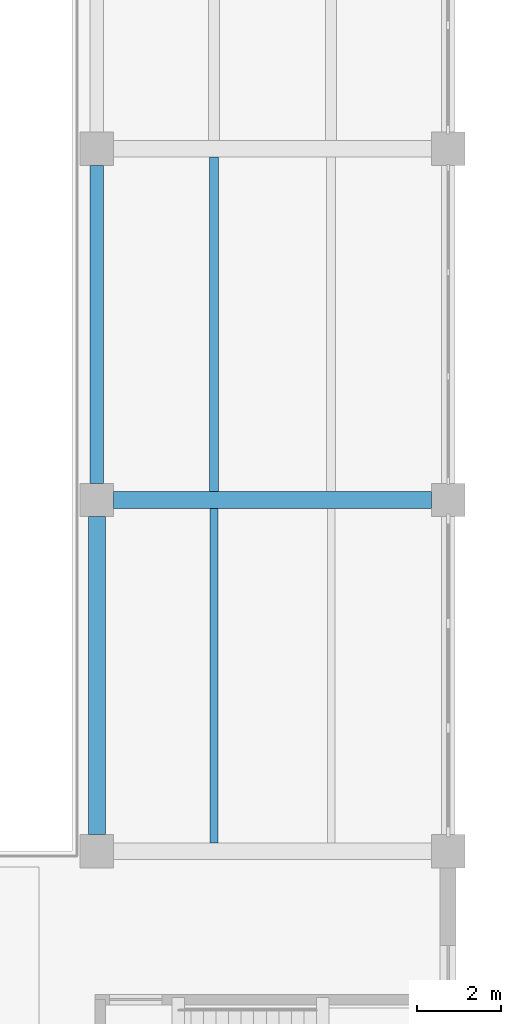
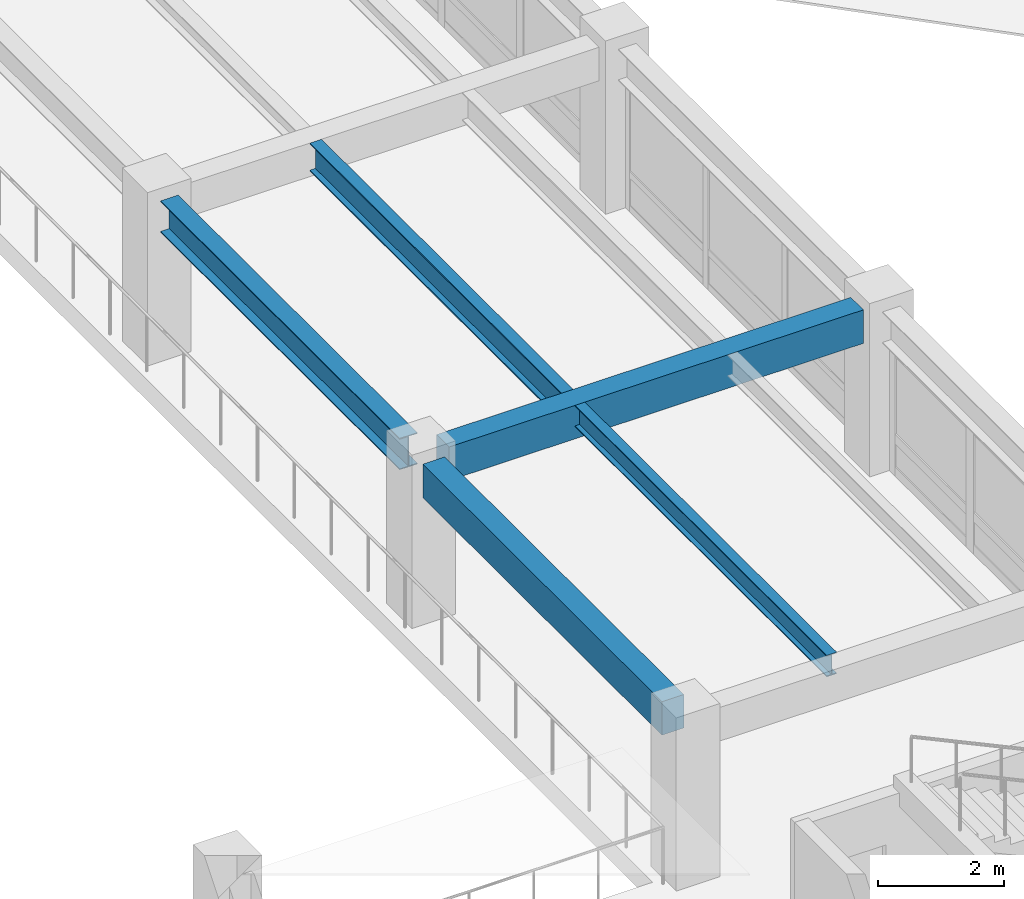
# One storey, part 9 of 123: 5 beams.
"""IFC4 building model written with IfcOpenShell, lengths in metres."""

from ifc_helpers import new_model, si_unit, direction, frame, origin, origin_2d, place, context, subcontext, project, spatial, rectangle, i_section, extrude, material, material_profile, profile_set, type_object, element, save


model = new_model("IFC4")

# Units and contexts
model_context = context("Model", 3, precision=1e-05, world=origin(), true_north=direction((0.0, 1.0)))
body_context = subcontext(model_context, "Body", "Model", "MODEL_VIEW")
ifc_project = project(units=[si_unit("LENGTHUNIT", "METRE"), si_unit("AREAUNIT", "SQUARE_METRE"), si_unit("VOLUMEUNIT", "CUBIC_METRE"), si_unit("PLANEANGLEUNIT", "RADIAN"), si_unit("MASSUNIT", "GRAM", prefix="KILO")], contexts=[model_context])

# Site, building, storey
site_placement = place(None, origin())
site = spatial("IfcSite", under=ifc_project, at=site_placement, CompositionType="ELEMENT")
building_placement = place(site_placement, origin())
building = spatial("IfcBuilding", under=site, at=building_placement, Name="Cumbredor Promenade Congress Hotel", CompositionType="ELEMENT")
storey_placement = place(building_placement, frame((0.0, 0.0, 11.760009765625)))
storey = spatial("IfcBuildingStorey", under=building, at=storey_placement, Name="L03", CompositionType="ELEMENT", Elevation=11.760009765625)

# Beams
ifc_material_1 = material(Name="Concrete C40/50", Category="concrete")
ifc_material_profile_1 = material_profile(ifc_material_1, rectangle(XDim=0.39990234375, YDim=0.64990234375, at=origin_2d()), Name="RC BEAM 400x650")
ifc_profile_set_1 = profile_set([ifc_material_profile_1], Name="Concrete C40/50")
beam_type_1 = type_object("IfcBeamType", Name="BM-RC-400x650", PredefinedType="BEAM", material=ifc_profile_set_1)
for number, where, z_axis, x_axis, name in (
    (1, (58.800048828125, 17.199951171875, 2.794921875), (0.0, 1.0, 0.0), (-1.0, 0.0, 0.0), "L04 Y-Grid Beam 105"),
    (2, (59.199951171875, 25.199951171875, 2.794921875), (1.0, 0.0, 0.0), (0.0, 1.0, 0.0), "L04 X-Grid Beam 106"),
):
    element("IfcBeam", number, at=place(storey_placement, frame(where, z_axis=z_axis, x_axis=x_axis)), inside=storey, type_object=beam_type_1, Name=name, PredefinedType="BEAM", context=body_context, shape_type="SweptSolid", body=[
        extrude(rectangle(XDim=0.39990234375, YDim=0.64990234375, at=origin_2d()), origin(), (0.0, 0.0, 1.0), 7.60009765625),
    ])
ifc_material_2 = material(Name="Steel ASTM A992 Grade 50", Category="steel")
ifc_material_profile_2 = material_profile(ifc_material_2, i_section(OverallWidth=0.180908203125, OverallDepth=0.4169921875, WebThickness=0.010986328125, FlangeThickness=0.018310546875, at=origin_2d()), Name="W16X57")
ifc_profile_set_2 = profile_set([ifc_material_profile_2], Name="Steel ASTM A992 Grade 50")
beam_type_2 = type_object("IfcBeamType", Name="JST-W16X57", PredefinedType="JOIST", material=ifc_profile_set_2)
beam_1_placement = place(storey_placement, frame((61.60009765625, 17.0, 2.911376953125), z_axis=(0.0, 1.0, 0.0), x_axis=(-1.0, 0.0, 0.0)))
element("IfcBeam", 3, at=beam_1_placement, inside=storey, type_object=beam_type_2, Name="L04 Secondary Floor Joist 0062", PredefinedType="JOIST", context=body_context, shape_type="SweptSolid", body=[
    extrude(i_section(OverallWidth=0.180908203125, OverallDepth=0.4169921875, WebThickness=0.010986328125, FlangeThickness=0.018310546875, at=origin_2d()), origin(), (0.0, 0.0, 1.0), 8.0),
])
ifc_material_profile_3 = material_profile(ifc_material_2, i_section(OverallWidth=0.214111328125, OverallDepth=0.549072265625, WebThickness=0.0146484375, FlangeThickness=0.023681640625, at=origin_2d()), Name="W21X93")
ifc_profile_set_3 = profile_set([ifc_material_profile_3], Name="Steel ASTM A992 Grade 50")
beam_type_3 = type_object("IfcBeamType", Name="JST-W21X93", PredefinedType="JOIST", material=ifc_profile_set_3)
beam_2_placement = place(storey_placement, frame((61.60009765625, 25.39990234375, 2.845458984375), z_axis=(0.0, 1.0, 0.0), x_axis=(-1.0, 0.0, 0.0)))
element("IfcBeam", 4, at=beam_2_placement, inside=storey, type_object=beam_type_3, Name="L04 Secondary Floor Joist 0064", PredefinedType="JOIST", context=body_context, shape_type="SweptSolid", body=[
    extrude(i_section(OverallWidth=0.214111328125, OverallDepth=0.549072265625, WebThickness=0.0146484375, FlangeThickness=0.023681640625, at=origin_2d()), origin(), (0.0, 0.0, 1.0), 8.0),
])
ifc_material_profile_4 = material_profile(ifc_material_2, i_section(OverallWidth=0.323974609375, OverallDepth=0.611083984375, WebThickness=0.0126953125, FlangeThickness=0.01904296875, at=origin_2d()), Name="W24X104")
ifc_profile_set_4 = profile_set([ifc_material_profile_4], Name="Steel ASTM A992 Grade 50")
beam_type_4 = type_object("IfcBeamType", Name="SP-W24X104", PredefinedType="SPANDREL", material=ifc_profile_set_4)
beam_3_placement = place(storey_placement, frame((58.800048828125, 25.60009765625, 2.814453125), z_axis=(0.0, 1.0, 0.0), x_axis=(-1.0, 0.0, 0.0)))
element("IfcBeam", 5, at=beam_3_placement, inside=storey, type_object=beam_type_4, Name="L04 Y-Grid Beam 107", PredefinedType="SPANDREL", context=body_context, shape_type="SweptSolid", body=[
    extrude(i_section(OverallWidth=0.323974609375, OverallDepth=0.611083984375, WebThickness=0.0126953125, FlangeThickness=0.01904296875, at=origin_2d()), origin(), (0.0, 0.0, 1.0), 7.599853515625),
])

save(model, "model.ifc")
